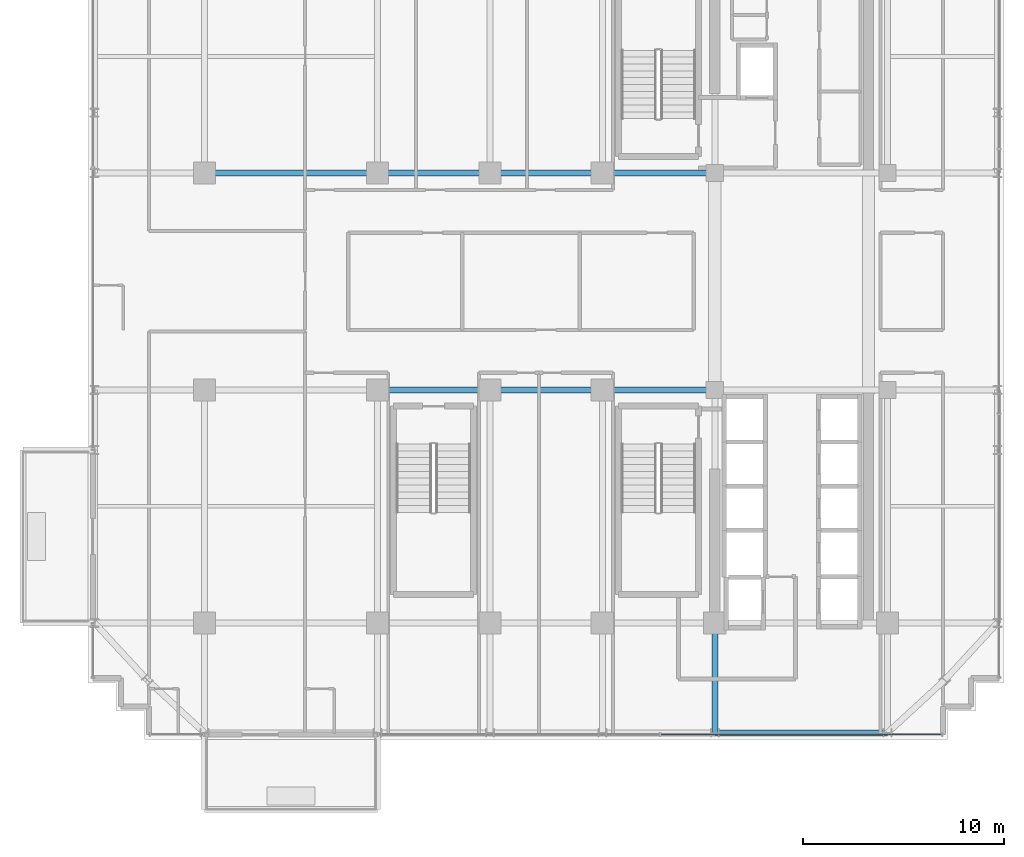
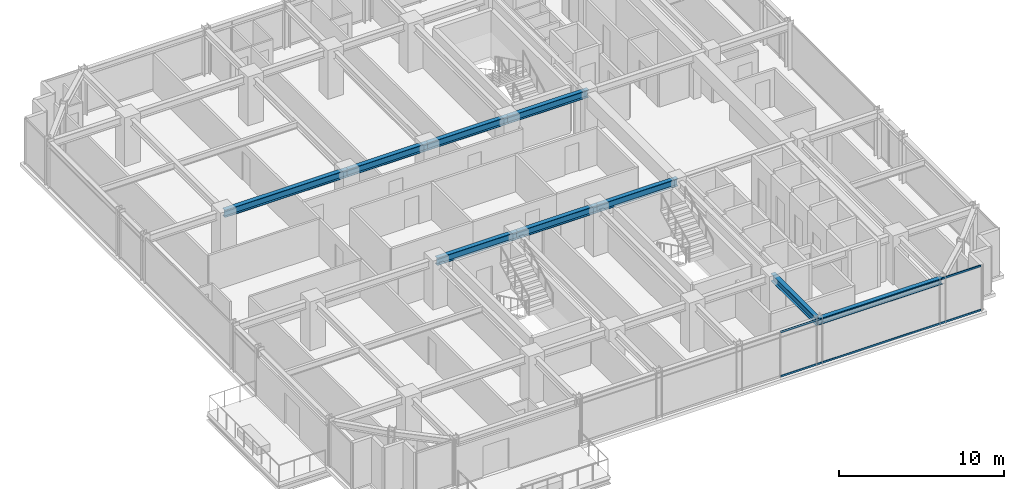
# One storey, part 11 of 31: 9 beams, 2 members, 1 element without a shape of its own.
"""IFC4 building model written with IfcOpenShell, lengths in metres."""

from ifc_helpers import new_model, si_unit, direction, frame, origin, origin_2d, place, context, subcontext, project, spatial, hollow_rectangle, i_section, extrude, source, transform, mapped, material, material_profile, profile_set, type_object, element, aggregate, save


model = new_model("IFC4")

# Units and contexts
model_context = context("Model", 3, precision=1e-05, world=origin(), true_north=direction((0.0, 1.0)))
body_context = subcontext(model_context, "Body", "Model", "MODEL_VIEW")
ifc_project = project(units=[si_unit("LENGTHUNIT", "METRE"), si_unit("AREAUNIT", "SQUARE_METRE"), si_unit("VOLUMEUNIT", "CUBIC_METRE"), si_unit("PLANEANGLEUNIT", "RADIAN"), si_unit("MASSUNIT", "GRAM", prefix="KILO")], contexts=[model_context])

# Site, building, storey
site_placement = place(None, origin())
site = spatial("IfcSite", under=ifc_project, at=site_placement, CompositionType="ELEMENT")
building_placement = place(site_placement, origin())
building = spatial("IfcBuilding", under=site, at=building_placement, Name="Nahalor Promenade Grand Hotel", CompositionType="ELEMENT")
storey_placement = place(building_placement, frame((0.0, 0.0, 156.300048828125)))
storey = spatial("IfcBuildingStorey", under=building, at=storey_placement, Name="L39", CompositionType="ELEMENT", Elevation=156.300048828125)

# Beams
ifc_material_1 = material(Name="Steel S355JR", Category="steel")
ifc_material_profile_1 = material_profile(ifc_material_1, i_section(OverallWidth=0.3, OverallDepth=0.55, WebThickness=0.015, FlangeThickness=0.029, at=origin_2d()), Name="HEB 550")
ifc_profile_set_1 = profile_set([ifc_material_profile_1], Name="Steel S355JR")
beam_type_1 = type_object("IfcBeamType", Name="Beam-Girder-HEB550", PredefinedType="BEAM", material=ifc_profile_set_1)
shared_shape_1 = source(origin(), body_context, "Body", "SweptSolid", [
    extrude(i_section(OverallWidth=0.3, OverallDepth=0.55, WebThickness=0.015, FlangeThickness=0.029, at=origin_2d()), origin(), (0.0, 0.0, 1.0), 8.60009765625),
])
beam_1_placement = place(storey_placement, frame((-17.0, 5.39990234375, 3.114990234375), z_axis=(1.0, 0.0, 0.0), x_axis=(0.0, 1.0, 0.0)))
element("IfcBeam", 1, at=beam_1_placement, inside=storey, type_object=beam_type_1, Name="BM-L39-GX-2-1", PredefinedType="BEAM", context=body_context, shape_type="MappedRepresentation", body=[
    mapped(shared_shape_1, transform((0.0, 0.0, 0.0), scale=1.0)),
])
shared_shape_2 = source(origin(), body_context, "Body", "SweptSolid", [
    extrude(i_section(OverallWidth=0.3, OverallDepth=0.55, WebThickness=0.015, FlangeThickness=0.029, at=origin_2d()), origin(), (0.0, 0.0, 1.0), 5.599853515625),
])
for number, where, z_axis, x_axis, name in (
    (2, (-8.39990234375, -5.39990234375, 3.114990234375), (1.0, 0.0, 0.0), (0.0, 1.0, 0.0), "BM-L39-GX-1-2"),
    (3, (2.800048828125, -5.39990234375, 3.114990234375), (1.0, 0.0, 0.0), (0.0, 1.0, 0.0), "BM-L39-GX-1-4"),
    (4, (-8.39990234375, 5.39990234375, 3.114990234375), (1.0, 0.0, 0.0), (0.0, 1.0, 0.0), "BM-L39-GX-2-2"),
    (5, (2.800048828125, 5.39990234375, 3.114990234375), (1.0, 0.0, 0.0), (0.0, 1.0, 0.0), "BM-L39-GX-2-4"),
):
    element("IfcBeam", number, at=place(storey_placement, frame(where, z_axis=z_axis, x_axis=x_axis)), inside=storey, type_object=beam_type_1, Name=name, PredefinedType="BEAM", context=body_context, shape_type="MappedRepresentation", body=[
        mapped(shared_shape_2, transform((0.0, 0.0, 0.0), scale=1.0)),
    ])
shared_shape_3 = source(origin(), body_context, "Body", "SweptSolid", [
    extrude(i_section(OverallWidth=0.3, OverallDepth=0.55, WebThickness=0.015, FlangeThickness=0.029, at=origin_2d()), origin(), (0.0, 0.0, 1.0), 5.60009765625),
])
for number, where, z_axis, x_axis, name in (
    (6, (-2.800048828125, -5.39990234375, 3.114990234375), (1.0, 0.0, 0.0), (0.0, 1.0, 0.0), "BM-L39-GX-1-3"),
    (7, (-2.800048828125, 5.39990234375, 3.114990234375), (1.0, 0.0, 0.0), (0.0, 1.0, 0.0), "BM-L39-GX-2-3"),
):
    element("IfcBeam", number, at=place(storey_placement, frame(where, z_axis=z_axis, x_axis=x_axis)), inside=storey, type_object=beam_type_1, Name=name, PredefinedType="BEAM", context=body_context, shape_type="MappedRepresentation", body=[
        mapped(shared_shape_3, transform((0.0, 0.0, 0.0), scale=1.0)),
    ])
shared_shape_4 = source(origin(), body_context, "Body", "SweptSolid", [
    extrude(i_section(OverallWidth=0.3, OverallDepth=0.55, WebThickness=0.015, FlangeThickness=0.029, at=origin_2d()), origin(), (0.0, 0.0, 1.0), 5.47998046875),
])
beam_2_placement = place(storey_placement, frame((8.39990234375, -22.47998046875, 3.114990234375), z_axis=(0.0, 1.0, 0.0), x_axis=(-1.0, 0.0, 0.0)))
element("IfcBeam", 8, at=beam_2_placement, inside=storey, type_object=beam_type_1, Name="BM-L39-GY-4-0", PredefinedType="BEAM", context=body_context, shape_type="MappedRepresentation", body=[
    mapped(shared_shape_4, transform((0.0, 0.0, 0.0), scale=1.0)),
])
ifc_material_profile_2 = material_profile(ifc_material_1, i_section(OverallWidth=0.3, OverallDepth=0.45, WebThickness=0.014, FlangeThickness=0.026, at=origin_2d()), Name="HEB 450")
ifc_profile_set_2 = profile_set([ifc_material_profile_2], Name="Steel S355JR")
beam_type_2 = type_object("IfcBeamType", Name="Beam-Spandrel-HEB450", PredefinedType="SPANDREL", material=ifc_profile_set_2)
shared_shape_5 = source(origin(), body_context, "Body", "SweptSolid", [
    extrude(i_section(OverallWidth=0.3, OverallDepth=0.45, WebThickness=0.014, FlangeThickness=0.026, at=origin_2d()), origin(), (0.0, 0.0, 1.0), 8.60009765625),
])
beam_3_placement = place(storey_placement, frame((8.39990234375, -22.47998046875, 3.1650390625), z_axis=(1.0, 0.0, 0.0), x_axis=(0.0, 1.0, 0.0)))
element("IfcBeam", 9, at=beam_3_placement, inside=storey, type_object=beam_type_2, Name="BM-L39-SP-S-4", PredefinedType="SPANDREL", context=body_context, shape_type="MappedRepresentation", body=[
    mapped(shared_shape_5, transform((0.0, 0.0, 0.0), scale=1.0)),
])

# Curtain wall, members
ifc_material_2 = material(Name="Anodised Bronze Aluminium EN AW-6063 T6", Category="aluminium")
curtain_wall_type = type_object("IfcCurtainWallType", Name="CW2 Typical Hotel Flush Bronze Unitised Curtain Wall", PredefinedType="USERDEFINED", material=ifc_material_2)
curtain_wall_placement = place(storey_placement, origin())
curtain_wall = element("IfcCurtainWall", 10, at=curtain_wall_placement, inside=storey, type_object=curtain_wall_type, Name="L39 Curtain Wall CW-L39-S-3", ObjectType="UNITISED_CURTAIN_WALL", PredefinedType="USERDEFINED")
ifc_material_profile_3 = material_profile(ifc_material_2, hollow_rectangle(XDim=0.065, YDim=0.13, WallThickness=0.004, at=origin_2d()), Name="CWT 65x130x4")
ifc_profile_set_3 = profile_set([ifc_material_profile_3], Name="Anodised Bronze Aluminium EN AW-6063 T6")
member_type = type_object("IfcMemberType", Name="CWT2 Typical Bronze Transom 65x130", PredefinedType="USERDEFINED", material=ifc_profile_set_3)
shared_shape_6 = source(origin(), body_context, "Body", "SweptSolid", [
    extrude(hollow_rectangle(XDim=0.065, YDim=0.13, WallThickness=0.004, at=origin_2d()), origin(), (0.0, 0.0, 1.0), 13.982666015625),
])
member_1_placement = place(storey_placement, frame((5.71240234375, -22.56005859375, 0.06494140625), z_axis=(1.0, 0.0, 0.0), x_axis=(0.0, 1.0, 0.0)))
member_1 = element("IfcMember", 11, at=member_1_placement, type_object=member_type, Name="CW-L39-S-3 Transom 1-0", ObjectType="TRANSOM", PredefinedType="USERDEFINED", context=body_context, shape_type="MappedRepresentation", body=[
    mapped(shared_shape_6, transform((0.0, 0.0, 0.0), scale=1.0)),
])
member_2_placement = place(storey_placement, frame((5.71240234375, -22.56005859375, 3.324951171875), z_axis=(1.0, 0.0, 0.0), x_axis=(0.0, 1.0, 0.0)))
member_2 = element("IfcMember", 12, at=member_2_placement, type_object=member_type, Name="CW-L39-S-3 Transom 1-1", ObjectType="TRANSOM", PredefinedType="USERDEFINED", context=body_context, shape_type="MappedRepresentation", body=[
    mapped(shared_shape_6, transform((0.0, 0.0, 0.0), scale=1.0)),
])
aggregate(curtain_wall, [member_1, member_2])

save(model, "model.ifc")
